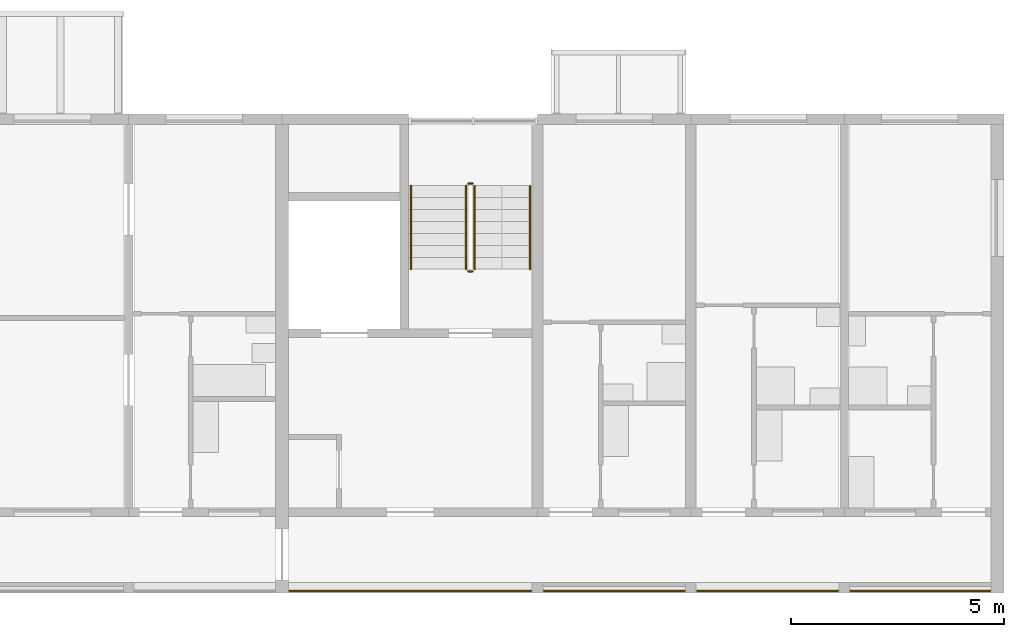
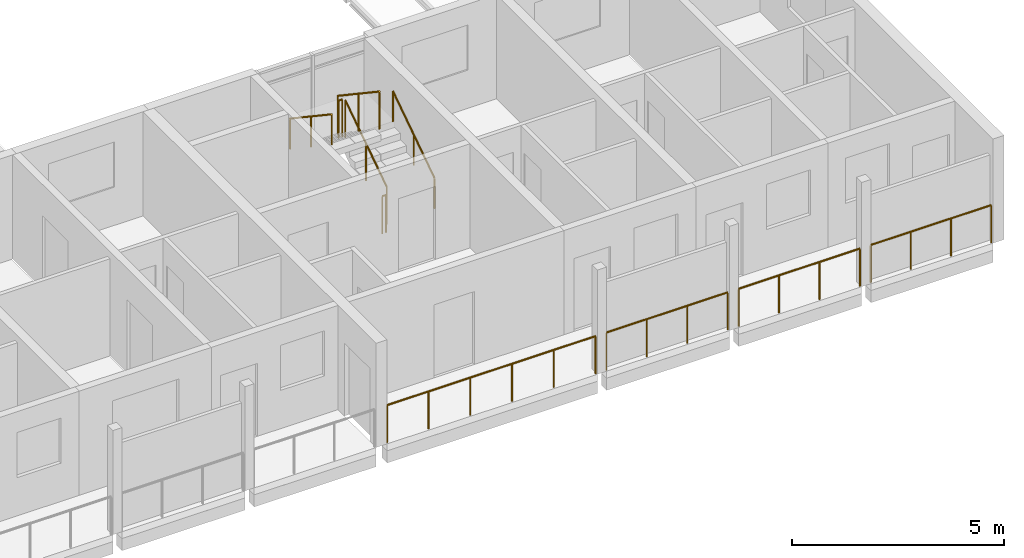
# One storey, part 93 of 99: 10 railings.
"""IFC4 building model written with IfcOpenShell, lengths in metres."""

import ifcopenshell
import ifcopenshell.guid

model = None  # the IFC model being written
_history = None  # IfcOwnerHistory: only IFC2X3 demands one
_inside = {}  # id of a spatial element -> (the spatial element, [elements in it])
_under = {}  # id of a project, library or spatial element -> (it, [spatial elements below it])
_declared = {}  # id of a project -> (the project, [libraries it declares])
_typed = {}  # id of a type object -> (the type object, [elements of that type])
_made_of = {}  # id of a material, layer set ... -> (it, [elements and type objects made of it])


def new_model(schema):
    """Start an empty IFC model of exactly this schema.

    Asked for "IFC4X3", IfcOpenShell would pick the latest addendum, in which some entities
    have other attributes; the version numbers below select the first issue.
    IFC2X3 requires an IfcOwnerHistory on every rooted entity: one is made here for all.
    """
    global model, _history
    if schema == "IFC4X3":
        model = ifcopenshell.file(schema_version=(4, 3, 0, 0))
    else:
        model = ifcopenshell.file(schema=schema)
    _inside.clear()
    _under.clear()
    _declared.clear()
    _typed.clear()
    _made_of.clear()
    _history = None
    if model.schema == "IFC2X3":
        org = make("IfcOrganization", Name="unknown")
        user = make(
            "IfcPersonAndOrganization",
            ThePerson=make("IfcPerson", FamilyName="unknown"),
            TheOrganization=org,
        )
        app = make(
            "IfcApplication",
            ApplicationDeveloper=org,
            Version="unknown",
            ApplicationFullName="unknown",
            ApplicationIdentifier="unknown",
        )
        _history = make(
            "IfcOwnerHistory",
            OwningUser=user,
            OwningApplication=app,
            ChangeAction="ADDED",
            CreationDate=0,
        )
    return model


def make(cls, **values):
    """One entity of the class cls with the attributes given. An attribute that is None is left unset."""
    return model.create_entity(
        cls, **{name: value for name, value in values.items() if value is not None}
    )


def rooted(cls, **values):
    """An entity with a GlobalId (a new one), such as an element, a storey or a relation."""
    return make(cls, GlobalId=ifcopenshell.guid.new(), OwnerHistory=_history, **values)


def si_unit(unit_type, name, prefix=None):
    """IfcSIUnit, for example si_unit("LENGTHUNIT", "METRE", prefix="MILLI")."""
    return make("IfcSIUnit", UnitType=unit_type, Prefix=prefix, Name=name)


def assignment(units):
    """IfcUnitAssignment: the units of a project."""
    return None if units is None else make("IfcUnitAssignment", Units=units)


def point(xyz):
    """IfcCartesianPoint."""
    return None if xyz is None else make("IfcCartesianPoint", Coordinates=xyz)


def direction(xyz):
    """IfcDirection."""
    return None if xyz is None else make("IfcDirection", DirectionRatios=xyz)


def frame(location, z_axis=None, x_axis=None):
    """IfcAxis2Placement3D, a coordinate frame: its origin and axes. An axis left out is left unset."""
    return make(
        "IfcAxis2Placement3D",
        Location=point(location),
        Axis=direction(z_axis),
        RefDirection=direction(x_axis),
    )


def frame_2d(location, x_axis=None):
    """IfcAxis2Placement2D, a coordinate frame in the plane: its origin and x axis."""
    return make(
        "IfcAxis2Placement2D", Location=point(location), RefDirection=direction(x_axis)
    )


def origin():
    """The frame at (0, 0, 0) with its axes left unset."""
    return frame((0.0, 0.0, 0.0))


def origin_2d():
    """The frame at (0, 0) in the plane with its x axis left unset."""
    return frame_2d((0.0, 0.0))


def place(relative_to, where):
    """IfcLocalPlacement: puts the frame where relative to a parent placement (None: the world)."""
    return make(
        "IfcLocalPlacement", PlacementRelTo=relative_to, RelativePlacement=where
    )


def context(
    kind, dimensions, precision=None, world=None, true_north=None, identifier=None
):
    """IfcGeometricRepresentationContext, for example the 3D "Model" context."""
    return make(
        "IfcGeometricRepresentationContext",
        ContextIdentifier=identifier,
        ContextType=kind,
        CoordinateSpaceDimension=dimensions,
        Precision=precision,
        WorldCoordinateSystem=world,
        TrueNorth=true_north,
    )


def subcontext(parent, identifier, kind, view, scale=None):
    """IfcGeometricRepresentationSubContext, for example "Body" below "Model"."""
    return make(
        "IfcGeometricRepresentationSubContext",
        ContextIdentifier=identifier,
        ContextType=kind,
        ParentContext=parent,
        TargetScale=scale,
        TargetView=view,
    )


def project(units=None, contexts=None):
    """IfcProject with its units and contexts."""
    return rooted(
        "IfcProject",
        Name="project",
        RepresentationContexts=contexts,
        UnitsInContext=assignment(units),
    )


def spatial(cls, under=None, at=None, **own):
    """A site, building, storey or space (cls), placed at a placement, below another one or the project."""
    s = rooted(cls, ObjectPlacement=at, **own)
    if under is not None:
        _under.setdefault(under.id(), (under, []))[1].append(s)
    return s


def profile(cls, at=None, kind="AREA", **sizes):
    """A parametric profile (cls). Its sizes go by their IFC names, for example OverallWidth=200.0."""
    return make(cls, ProfileType=kind, Position=at, **sizes)


def circle(**sizes):
    """IfcCircleProfileDef."""
    return profile("IfcCircleProfileDef", **sizes)


def extrude(swept, where, along, depth):
    """IfcExtrudedAreaSolid: the profile swept, set in the frame where, extruded along a direction by depth."""
    return make(
        "IfcExtrudedAreaSolid",
        SweptArea=swept,
        Position=where,
        ExtrudedDirection=direction(along),
        Depth=depth,
    )


def shape(context_of_items, identifier, shape_type, items):
    """IfcShapeRepresentation: the items that make up one representation, for example the "Body"."""
    return make(
        "IfcShapeRepresentation",
        ContextOfItems=context_of_items,
        RepresentationIdentifier=identifier,
        RepresentationType=shape_type,
        Items=items,
    )


def material(Name=None, Category=None):
    """IfcMaterial."""
    return make("IfcMaterial", Name=Name, Category=Category)


def made_of(thing, what):
    """Note that an element or type object is made of a material, layer set ...; save() writes the relation."""
    if what is not None:
        _made_of.setdefault(what.id(), (what, []))[1].append(thing)
    return thing


def type_object(cls, material=None, **own):
    """A type object (cls), such as IfcWallType, which elements share."""
    return made_of(rooted(cls, **own), material)


def element(
    cls,
    number,
    at=None,
    inside=None,
    cuts=None,
    type_object=None,
    material=None,
    context=None,
    identifier="Body",
    shape_type=None,
    held_by="IfcProductDefinitionShape",
    body=None,
    shapes=None,
    **own,
):
    """One element of the class cls, such as IfcWall. Its Tag is "e" and its number.

    at: its placement. inside: the storey or other place that contains it. cuts: it is an
    opening in that element (IfcRelVoidsElement). A single representation is given by context,
    identifier, shape_type and body (its items); several are given by shapes. held_by: the class
    of the entity that holds the representations. save() writes the other relations.
    """
    e = rooted(cls, Tag="e%d" % number, ObjectPlacement=at, **own)
    if body is not None:
        shapes = [shape(context, identifier, shape_type, body)]
    if shapes is not None:
        e.Representation = make(held_by, Representations=shapes)
    if inside is not None:
        _inside.setdefault(inside.id(), (inside, []))[1].append(e)
    if cuts is not None:
        rooted(
            "IfcRelVoidsElement", RelatingBuildingElement=cuts, RelatedOpeningElement=e
        )
    if type_object is not None:
        _typed.setdefault(type_object.id(), (type_object, []))[1].append(e)
    return made_of(e, material)


def aggregate(whole, parts):
    """IfcRelAggregates: a whole, such as a stair, and the parts it consists of."""
    return rooted("IfcRelAggregates", RelatingObject=whole, RelatedObjects=parts)


def save(model, path):
    """Write the relations noted so far, then the file.

    IfcRelAggregates (storeys below a building ...), IfcRelContainedInSpatialStructure (elements
    in a storey), IfcRelDefinesByType, IfcRelAssociatesMaterial and IfcRelDeclares: one each for
    every whole, place, type object, material and project.
    """
    for whole, parts in _under.values():
        aggregate(whole, parts)
    for where, things in _inside.values():
        rooted(
            "IfcRelContainedInSpatialStructure",
            RelatedElements=things,
            RelatingStructure=where,
        )
    for kind, things in _typed.values():
        rooted("IfcRelDefinesByType", RelatedObjects=things, RelatingType=kind)
    for what, things in _made_of.values():
        rooted("IfcRelAssociatesMaterial", RelatedObjects=things, RelatingMaterial=what)
    for by, libraries in _declared.values():
        rooted("IfcRelDeclares", RelatingContext=by, RelatedDefinitions=libraries)
    model.write(path)


model = new_model("IFC4")

# Units and contexts
model_context = context("Model", 3, precision=1e-05, world=origin(), true_north=direction((0.0, 1.0)))
body_context = subcontext(model_context, "Body", "Model", "MODEL_VIEW")
ifc_project = project(units=[si_unit("LENGTHUNIT", "METRE"), si_unit("AREAUNIT", "SQUARE_METRE"), si_unit("VOLUMEUNIT", "CUBIC_METRE"), si_unit("PLANEANGLEUNIT", "RADIAN"), si_unit("MASSUNIT", "GRAM", prefix="KILO")], contexts=[model_context])

# Site, building, storey
site_placement = place(None, origin())
site = spatial("IfcSite", under=ifc_project, at=site_placement, CompositionType="ELEMENT")
building_placement = place(site_placement, origin())
building = spatial("IfcBuilding", under=site, at=building_placement, Name="Ridgestep Commons", CompositionType="ELEMENT")
storey_placement = place(building_placement, frame((0.0, 0.0, 15.0)))
storey = spatial("IfcBuildingStorey", under=building, at=storey_placement, Name="L05", CompositionType="ELEMENT", Elevation=15.0)

# Railings
ifc_material_1 = material(Name="Structural steel S355JR", Category="steel")
railing_type_1 = type_object("IfcRailingType", Name="Guard 1100", PredefinedType="GUARDRAIL", material=ifc_material_1)
railing_1_placement = place(storey_placement, frame((230.970947265625, 11.800048828125, 0.0)))
element("IfcRailing", 1, at=railing_1_placement, inside=storey, type_object=railing_type_1, Name="Gallery guard D 05.21", PredefinedType="GUARDRAIL", context=body_context, shape_type="SweptSolid", body=[
    extrude(circle(Radius=0.02392578125, at=origin_2d()), frame((0.0, 0.0, 1.076171875), z_axis=(1.0, 0.0, 0.0), x_axis=(0.0, 1.0, 0.0)), (0.0, 0.0, 1.0), 5.68310546875),
    extrude(circle(Radius=0.02099609375, at=origin_2d()), origin(), (0.0, 0.0, 1.0), 1.052001953125),
    extrude(circle(Radius=0.02099609375, at=origin_2d()), frame((1.13671875, 0.0, 0.0)), (0.0, 0.0, 1.0), 1.052001953125),
    extrude(circle(Radius=0.02099609375, at=origin_2d()), frame((2.273193359375, 0.0, 0.0)), (0.0, 0.0, 1.0), 1.052001953125),
    extrude(circle(Radius=0.02099609375, at=origin_2d()), frame((3.409912109375, 0.0, 0.0)), (0.0, 0.0, 1.0), 1.052001953125),
    extrude(circle(Radius=0.02099609375, at=origin_2d()), frame((4.54638671875, 0.0, 0.0)), (0.0, 0.0, 1.0), 1.052001953125),
    extrude(circle(Radius=0.02099609375, at=origin_2d()), frame((5.68310546875, 0.0, 0.0)), (0.0, 0.0, 1.0), 1.052001953125),
])
railing_2_placement = place(storey_placement, frame((236.946044921875, 11.800048828125, 0.0)))
element("IfcRailing", 2, at=railing_2_placement, inside=storey, type_object=railing_type_1, Name="Gallery guard D 05.22", PredefinedType="GUARDRAIL", context=body_context, shape_type="SweptSolid", body=[
    extrude(circle(Radius=0.02392578125, at=origin_2d()), frame((0.0, 0.0, 1.076171875), z_axis=(1.0, 0.0, 0.0), x_axis=(0.0, 1.0, 0.0)), (0.0, 0.0, 1.0), 3.307861328125),
    extrude(circle(Radius=0.02099609375, at=origin_2d()), origin(), (0.0, 0.0, 1.0), 1.052001953125),
    extrude(circle(Radius=0.02099609375, at=origin_2d()), frame((1.1025390625, 0.0, 0.0)), (0.0, 0.0, 1.0), 1.052001953125),
    extrude(circle(Radius=0.02099609375, at=origin_2d()), frame((2.205322265625, 0.0, 0.0)), (0.0, 0.0, 1.0), 1.052001953125),
    extrude(circle(Radius=0.02099609375, at=origin_2d()), frame((3.307861328125, 0.0, 0.0)), (0.0, 0.0, 1.0), 1.052001953125),
])
railing_3_placement = place(storey_placement, frame((240.5458984375, 11.800048828125, 0.0)))
element("IfcRailing", 3, at=railing_3_placement, inside=storey, type_object=railing_type_1, Name="Gallery guard D 05.23", PredefinedType="GUARDRAIL", context=body_context, shape_type="SweptSolid", body=[
    extrude(circle(Radius=0.02392578125, at=origin_2d()), frame((0.0, 0.0, 1.076171875), z_axis=(1.0, 0.0, 0.0), x_axis=(0.0, 1.0, 0.0)), (0.0, 0.0, 1.0), 3.30810546875),
    extrude(circle(Radius=0.02099609375, at=origin_2d()), origin(), (0.0, 0.0, 1.0), 1.052001953125),
    extrude(circle(Radius=0.02099609375, at=origin_2d()), frame((1.102783203125, 0.0, 0.0)), (0.0, 0.0, 1.0), 1.052001953125),
    extrude(circle(Radius=0.02099609375, at=origin_2d()), frame((2.205322265625, 0.0, 0.0)), (0.0, 0.0, 1.0), 1.052001953125),
    extrude(circle(Radius=0.02099609375, at=origin_2d()), frame((3.30810546875, 0.0, 0.0)), (0.0, 0.0, 1.0), 1.052001953125),
])
railing_4_placement = place(storey_placement, frame((244.14599609375, 11.800048828125, 0.0)))
element("IfcRailing", 4, at=railing_4_placement, inside=storey, type_object=railing_type_1, Name="Gallery guard D 05.24", PredefinedType="GUARDRAIL", context=body_context, shape_type="SweptSolid", body=[
    extrude(circle(Radius=0.02392578125, at=origin_2d()), frame((0.0, 0.0, 1.076171875), z_axis=(1.0, 0.0, 0.0), x_axis=(0.0, 1.0, 0.0)), (0.0, 0.0, 1.0), 3.282958984375),
    extrude(circle(Radius=0.02099609375, at=origin_2d()), origin(), (0.0, 0.0, 1.0), 1.052001953125),
    extrude(circle(Radius=0.02099609375, at=origin_2d()), frame((1.09423828125, 0.0, 0.0)), (0.0, 0.0, 1.0), 1.052001953125),
    extrude(circle(Radius=0.02099609375, at=origin_2d()), frame((2.188720703125, 0.0, 0.0)), (0.0, 0.0, 1.0), 1.052001953125),
    extrude(circle(Radius=0.02099609375, at=origin_2d()), frame((3.282958984375, 0.0, 0.0)), (0.0, 0.0, 1.0), 1.052001953125),
])
ifc_material_2 = material(Name="Structural steel S355JR", Category="steel")
railing_type_2 = type_object("IfcRailingType", Name="Stair guard 1100", PredefinedType="GUARDRAIL", material=ifc_material_2)
railing_5_placement = place(storey_placement, frame((235.324951171875, 19.35009765625, 0.1875)))
element("IfcRailing", 5, at=railing_5_placement, inside=storey, type_object=railing_type_2, Name="L05 D6C stair guard 1", PredefinedType="GUARDRAIL", context=body_context, shape_type="SweptSolid", body=[
    extrude(circle(Radius=0.02392578125, at=origin_2d()), frame((0.0, 0.0, 1.076171875), z_axis=(0.0, 0.830902050051, 0.556418712142), x_axis=(-1.0, 0.0, 0.0)), (0.0, 0.0, 1.0), 2.35888671875),
    extrude(circle(Radius=0.02099609375, at=origin_2d()), origin(), (0.0, 0.0, 1.0), 1.052001953125),
    extrude(circle(Radius=0.02099609375, at=origin_2d()), frame((0.0, 0.97998046875, 0.65625)), (0.0, 0.0, 1.0), 1.052001953125),
    extrude(circle(Radius=0.02099609375, at=origin_2d()), frame((0.0, 1.9599609375, 1.3125)), (0.0, 0.0, 1.0), 1.052001953125),
])
railing_6_placement = place(storey_placement, frame((235.27490234375, 21.360107421875, 1.5)))
element("IfcRailing", 6, at=railing_6_placement, inside=storey, type_object=railing_type_2, Name="L05 D6C stair guard 2", PredefinedType="GUARDRAIL", context=body_context, shape_type="SweptSolid", body=[
    extrude(circle(Radius=0.02392578125, at=origin_2d()), frame((0.0, 0.0, 1.076171875), z_axis=(-1.0, 0.0, 0.0), x_axis=(0.0, -1.0, 0.0)), (0.0, 0.0, 1.0), 0.099853515625),
    extrude(circle(Radius=0.02099609375, at=origin_2d()), origin(), (0.0, 0.0, 1.0), 1.052001953125),
    extrude(circle(Radius=0.02099609375, at=origin_2d()), frame((-0.099853515625, 0.0, 0.0)), (0.0, 0.0, 1.0), 1.052001953125),
])
railing_7_placement = place(storey_placement, frame((235.125, 21.31005859375, 1.6875)))
element("IfcRailing", 7, at=railing_7_placement, inside=storey, type_object=railing_type_2, Name="L05 D6C stair guard 3", PredefinedType="GUARDRAIL", context=body_context, shape_type="SweptSolid", body=[
    extrude(circle(Radius=0.02392578125, at=origin_2d()), frame((0.0, 0.0, 1.076171875), z_axis=(0.0, -0.830902050051, 0.556418712142), x_axis=(1.0, 0.0, 0.0)), (0.0, 0.0, 1.0), 2.35888671875),
    extrude(circle(Radius=0.02099609375, at=origin_2d()), origin(), (0.0, 0.0, 1.0), 1.052001953125),
    extrude(circle(Radius=0.02099609375, at=origin_2d()), frame((0.0, -0.97998046875, 0.65625)), (0.0, 0.0, 1.0), 1.052001953125),
    extrude(circle(Radius=0.02099609375, at=origin_2d()), frame((0.0, -1.9599609375, 1.3125)), (0.0, 0.0, 1.0), 1.052001953125),
])
railing_8_placement = place(storey_placement, frame((235.27490234375, 19.300048828125, 0.0)))
element("IfcRailing", 8, at=railing_8_placement, inside=storey, type_object=railing_type_2, Name="L05 D6C stair guard 4", PredefinedType="GUARDRAIL", context=body_context, shape_type="SweptSolid", body=[
    extrude(circle(Radius=0.02392578125, at=origin_2d()), frame((0.0, 0.0, 1.076171875), z_axis=(-1.0, 0.0, 0.0), x_axis=(0.0, -1.0, 0.0)), (0.0, 0.0, 1.0), 0.099853515625),
    extrude(circle(Radius=0.02099609375, at=origin_2d()), origin(), (0.0, 0.0, 1.0), 1.052001953125),
    extrude(circle(Radius=0.02099609375, at=origin_2d()), frame((-0.099853515625, 0.0, 0.0)), (0.0, 0.0, 1.0), 1.052001953125),
])
ifc_material_3 = material(Name="Structural steel S355JR", Category="steel")
railing_type_3 = type_object("IfcRailingType", Name="Stair handrail 900", PredefinedType="HANDRAIL", material=ifc_material_3)
railing_9_placement = place(storey_placement, frame((236.625, 19.35009765625, 0.1875)))
element("IfcRailing", 9, at=railing_9_placement, inside=storey, type_object=railing_type_3, Name="L05 D6C stair handrail 1", PredefinedType="HANDRAIL", context=body_context, shape_type="SweptSolid", body=[
    extrude(circle(Radius=0.02392578125, at=origin_2d()), frame((0.0, 0.0, 0.8759765625), z_axis=(0.0, 0.830902050051, 0.556418712142), x_axis=(-1.0, 0.0, 0.0)), (0.0, 0.0, 1.0), 2.35888671875),
    extrude(circle(Radius=0.02099609375, at=origin_2d()), origin(), (0.0, 0.0, 1.0), 0.851806640625),
    extrude(circle(Radius=0.02099609375, at=origin_2d()), frame((0.0, 0.97998046875, 0.65625)), (0.0, 0.0, 1.0), 0.851806640625),
    extrude(circle(Radius=0.02099609375, at=origin_2d()), frame((0.0, 1.9599609375, 1.3125)), (0.0, 0.0, 1.0), 0.851806640625),
])
railing_10_placement = place(storey_placement, frame((233.824951171875, 21.31005859375, 1.6875)))
element("IfcRailing", 10, at=railing_10_placement, inside=storey, type_object=railing_type_3, Name="L05 D6C stair handrail 2", PredefinedType="HANDRAIL", context=body_context, shape_type="SweptSolid", body=[
    extrude(circle(Radius=0.02392578125, at=origin_2d()), frame((0.0, 0.0, 0.8759765625), z_axis=(0.0, -0.830902050051, 0.556418712142), x_axis=(1.0, 0.0, 0.0)), (0.0, 0.0, 1.0), 2.35888671875),
    extrude(circle(Radius=0.02099609375, at=origin_2d()), origin(), (0.0, 0.0, 1.0), 0.851806640625),
    extrude(circle(Radius=0.02099609375, at=origin_2d()), frame((0.0, -0.97998046875, 0.65625)), (0.0, 0.0, 1.0), 0.851806640625),
    extrude(circle(Radius=0.02099609375, at=origin_2d()), frame((0.0, -1.9599609375, 1.3125)), (0.0, 0.0, 1.0), 0.851806640625),
])

save(model, "model.ifc")
